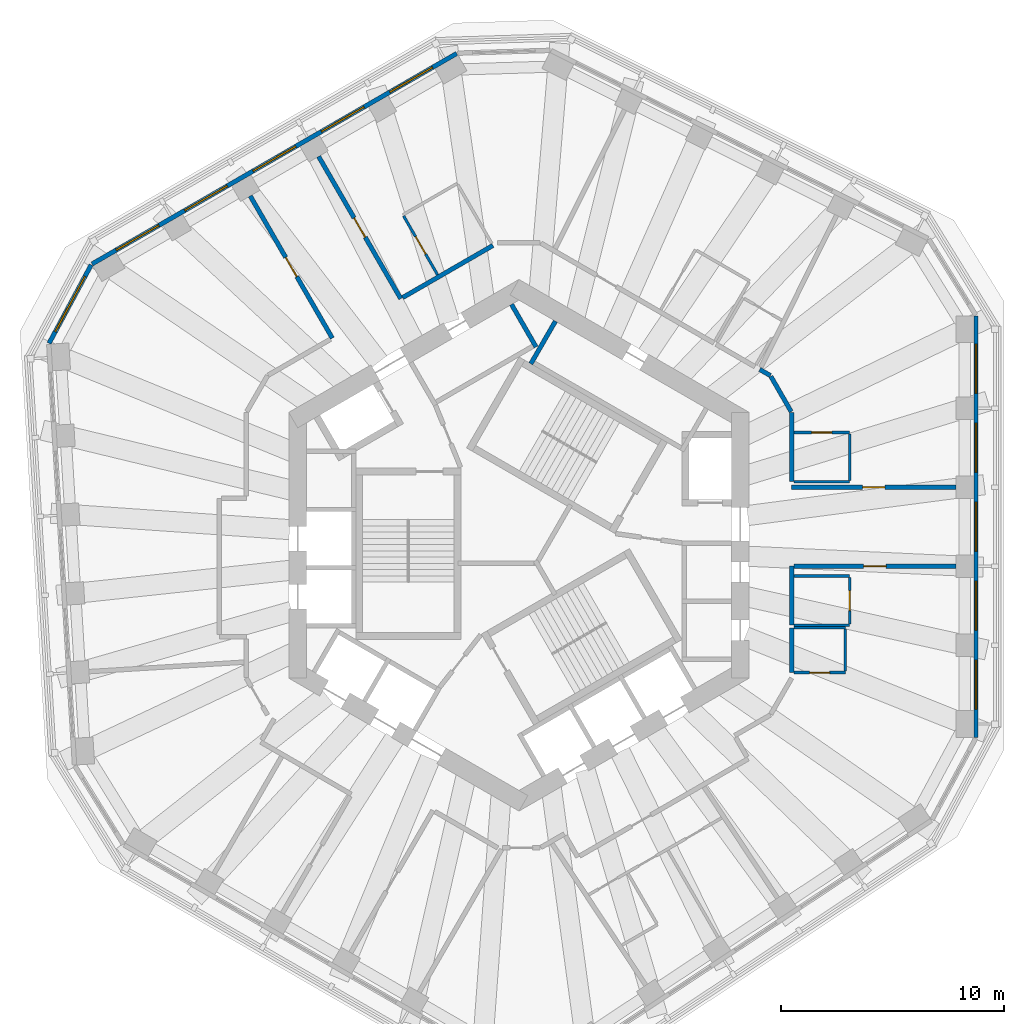
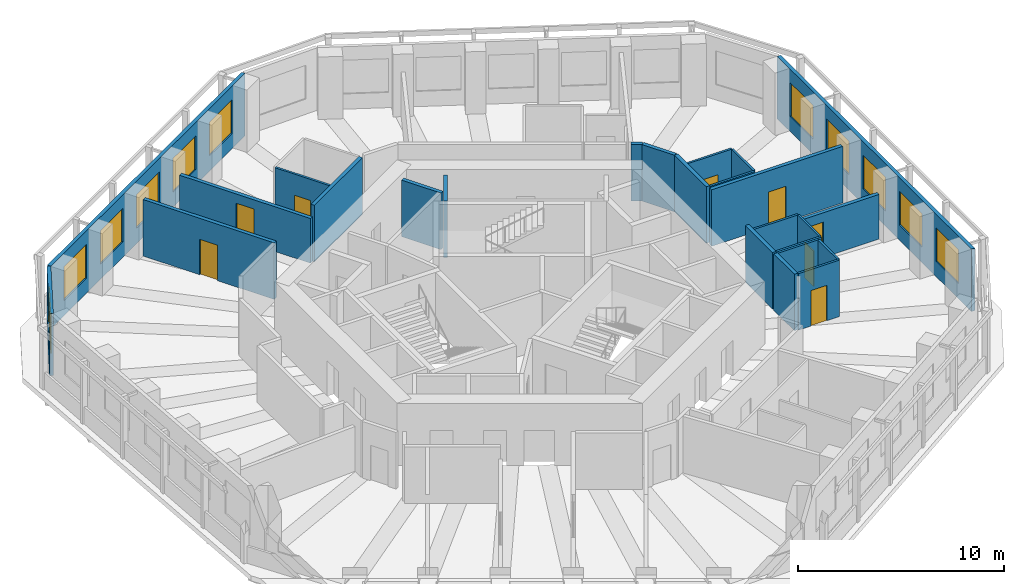
# One storey, part 7 of 11: 25 walls, 11 windows, 8 doors, 19 openings.
"""IFC4 building model written with IfcOpenShell, lengths in metres."""

from ifc_helpers import new_model, si_unit, direction, frame, frame_2d, origin, place, context, subcontext, project, spatial, rectangle, extrude, material, layer, layer_set, type_object, element, fill, save


model = new_model("IFC4")

# Units and contexts
model_context = context("Model", 3, precision=1e-05, world=origin(), true_north=direction((0.0, 1.0)))
body_context = subcontext(model_context, "Body", "Model", "MODEL_VIEW")
ifc_project = project(units=[si_unit("LENGTHUNIT", "METRE"), si_unit("AREAUNIT", "SQUARE_METRE"), si_unit("VOLUMEUNIT", "CUBIC_METRE"), si_unit("PLANEANGLEUNIT", "RADIAN"), si_unit("MASSUNIT", "GRAM", prefix="KILO")], contexts=[model_context])

# Site, building, storey
site_placement = place(None, origin())
site = spatial("IfcSite", under=ifc_project, at=site_placement, CompositionType="ELEMENT")
building_placement = place(site_placement, origin())
building = spatial("IfcBuilding", under=site, at=building_placement, Name="Vanh Sen Convention Tower", CompositionType="ELEMENT")
storey_placement = place(building_placement, frame((0.0, 0.0, 210.60009765625)))
storey = spatial("IfcBuildingStorey", under=building, at=storey_placement, Name="L52", CompositionType="ELEMENT", Elevation=210.60009765625)

# Wall, opening, door
ifc_material_1 = material(Name="Moisture-resistant gypsum board on steel studs", Category="steel")
ifc_layer_1 = layer(ifc_material_1, 0.1201171875)
ifc_layer_set_1 = layer_set([ifc_layer_1], Name="Moisture-resistant gypsum board on steel studs")
wall_type_1 = type_object("IfcWallType", Name="Bathroom partition 120", PredefinedType="PARTITIONING", material=ifc_layer_set_1)
wall_1_placement = place(storey_placement, frame((-3.641357421875, 12.1005859375, 0.0), z_axis=(0.0, 0.0, 1.0), x_axis=(-0.500026023896, 0.86601037836, 0.0)))
wall_1 = element("IfcWall", 1, at=wall_1_placement, inside=storey, type_object=wall_type_1, Name="Bathroom partition 120", PredefinedType="PARTITIONING", context=body_context, shape_type="SweptSolid", body=[
    extrude(rectangle(XDim=3.039794921875, YDim=0.1201171875, at=frame_2d((1.52001953125, 0.0))), origin(), (0.0, 0.0, 1.0), 3.349853515625),
])
opening_1_placement = place(wall_1_placement, frame((1.06982421875, 0.0, 0.0)))
opening_1 = element("IfcOpeningElement", 2, at=opening_1_placement, cuts=wall_1, Name="Opening D52107", PredefinedType="OPENING", context=body_context, shape_type="SweptSolid", body=[
    extrude(rectangle(XDim=0.89990234375, YDim=2.10009765625, at=frame_2d((0.449951171875, 1.050048828125))), frame((0.0, 0.070068359375, 0.0), z_axis=(0.0, -1.0, 0.0), x_axis=(1.0, 0.0, 0.0)), (0.0, 0.0, 1.0), 0.14013671875),
])
ifc_material_2 = material(Name="Laminate door in steel frame", Category="steel")
door_type_1 = type_object("IfcDoorType", Name="Room internal door 900", OperationType="SINGLE_SWING_LEFT", PredefinedType="DOOR", material=ifc_material_2)
door_1_placement = place(opening_1_placement, origin())
door_1 = element("IfcDoor", 3, at=door_1_placement, inside=storey, type_object=door_type_1, Name="Internal room door D52107", OperationType="SINGLE_SWING_LEFT", OverallHeight=2.10009765625, OverallWidth=0.89990234375, PredefinedType="DOOR", context=body_context, shape_type="SweptSolid", body=[
    extrude(rectangle(XDim=0.89990234375, YDim=2.10009765625, at=frame_2d((0.449951171875, 1.050048828125))), frame((0.0, 0.02490234375, 0.0), z_axis=(0.0, -1.0, 0.0), x_axis=(1.0, 0.0, 0.0)), (0.0, 0.0, 1.0), 0.050048828125),
])
fill(opening_1, door_1)

# Walls
wall_2_placement = place(storey_placement, frame((12.300048828125, -3.69677734375, 0.0), z_axis=(0.0, 0.0, 1.0), x_axis=(1.0, 0.0, 0.0)))
element("IfcWall", 4, at=wall_2_placement, inside=storey, type_object=wall_type_1, Name="Bathroom partition 120", PredefinedType="PARTITIONING", context=body_context, shape_type="SweptSolid", body=[
    extrude(rectangle(XDim=2.300048828125, YDim=0.1201171875, at=frame_2d((1.14990234375, 0.0))), origin(), (0.0, 0.0, 1.0), 3.349853515625),
])
wall_3_placement = place(storey_placement, frame((12.300048828125, -1.376708984375, 0.0), z_axis=(0.0, 0.0, 1.0), x_axis=(1.0, 0.0, 0.0)))
element("IfcWall", 5, at=wall_3_placement, inside=storey, type_object=wall_type_1, Name="Bathroom partition 120", PredefinedType="PARTITIONING", context=body_context, shape_type="SweptSolid", body=[
    extrude(rectangle(XDim=2.5, YDim=0.1201171875, at=frame_2d((1.25, 0.0))), origin(), (0.0, 0.0, 1.0), 3.349853515625),
])

# Wall, opening, door
wall_4_placement = place(storey_placement, frame((12.300048828125, 5.048095703125, 0.0), z_axis=(0.0, 0.0, 1.0), x_axis=(1.0, 0.0, 0.0)))
wall_4 = element("IfcWall", 6, at=wall_4_placement, inside=storey, type_object=wall_type_1, Name="Bathroom partition 120", PredefinedType="PARTITIONING", context=body_context, shape_type="SweptSolid", body=[
    extrude(rectangle(XDim=2.5, YDim=0.1201171875, at=frame_2d((1.25, 0.0))), origin(), (0.0, 0.0, 1.0), 3.349853515625),
])
opening_2_placement = place(wall_4_placement, frame((0.800048828125, 0.0, 0.0)))
opening_2 = element("IfcOpeningElement", 7, at=opening_2_placement, cuts=wall_4, Name="Opening D52102", PredefinedType="OPENING", context=body_context, shape_type="SweptSolid", body=[
    extrude(rectangle(XDim=0.89990234375, YDim=2.10009765625, at=frame_2d((0.449951171875, 1.050048828125))), frame((0.0, 0.070068359375, 0.0), z_axis=(0.0, -1.0, 0.0), x_axis=(1.0, 0.0, 0.0)), (0.0, 0.0, 1.0), 0.14013671875),
])
door_2_placement = place(opening_2_placement, origin())
door_2 = element("IfcDoor", 8, at=door_2_placement, inside=storey, type_object=door_type_1, Name="Internal room door D52102", OperationType="SINGLE_SWING_LEFT", OverallHeight=2.10009765625, OverallWidth=0.89990234375, PredefinedType="DOOR", context=body_context, shape_type="SweptSolid", body=[
    extrude(rectangle(XDim=0.89990234375, YDim=2.10009765625, at=frame_2d((0.449951171875, 1.050048828125))), frame((0.0, 0.02490234375, 0.0), z_axis=(0.0, -1.0, 0.0), x_axis=(1.0, 0.0, 0.0)), (0.0, 0.0, 1.0), 0.050048828125),
])
fill(opening_2, door_2)

wall_5_placement = place(storey_placement, frame((14.60009765625, -5.69677734375, 0.0), z_axis=(0.0, 0.0, 1.0), x_axis=(-1.0, 0.0, 0.0)))
wall_5 = element("IfcWall", 9, at=wall_5_placement, inside=storey, type_object=wall_type_1, Name="Bathroom partition 120", PredefinedType="PARTITIONING", context=body_context, shape_type="SweptSolid", body=[
    extrude(rectangle(XDim=2.300048828125, YDim=0.1201171875, at=frame_2d((1.14990234375, 0.0))), origin(), (0.0, 0.0, 1.0), 3.349853515625),
])
opening_3_placement = place(wall_5_placement, frame((0.699951171875, 0.0, 0.0)))
opening_3 = element("IfcOpeningElement", 10, at=opening_3_placement, cuts=wall_5, Name="Opening D52118", PredefinedType="OPENING", context=body_context, shape_type="SweptSolid", body=[
    extrude(rectangle(XDim=0.89990234375, YDim=2.10009765625, at=frame_2d((0.449951171875, 1.050048828125))), frame((0.0, 0.070068359375, 0.0), z_axis=(0.0, -1.0, 0.0), x_axis=(1.0, 0.0, 0.0)), (0.0, 0.0, 1.0), 0.14013671875),
])
door_3_placement = place(opening_3_placement, origin())
door_3 = element("IfcDoor", 11, at=door_3_placement, inside=storey, type_object=door_type_1, Name="Internal room door D52118", OperationType="SINGLE_SWING_LEFT", OverallHeight=2.10009765625, OverallWidth=0.89990234375, PredefinedType="DOOR", context=body_context, shape_type="SweptSolid", body=[
    extrude(rectangle(XDim=0.89990234375, YDim=2.10009765625, at=frame_2d((0.449951171875, 1.050048828125))), frame((0.0, 0.02490234375, 0.0), z_axis=(0.0, -1.0, 0.0), x_axis=(1.0, 0.0, 0.0)), (0.0, 0.0, 1.0), 0.050048828125),
])
fill(opening_3, door_3)

# Walls
wall_6_placement = place(storey_placement, frame((14.60009765625, -3.756591796875, 0.0), z_axis=(0.0, 0.0, 1.0), x_axis=(0.0, -1.0, 0.0)))
element("IfcWall", 12, at=wall_6_placement, inside=storey, type_object=wall_type_1, Name="Bathroom partition 120", PredefinedType="PARTITIONING", context=body_context, shape_type="SweptSolid", body=[
    extrude(rectangle(XDim=1.880126953125, YDim=0.1201171875, at=frame_2d((0.93994140625, 0.0))), origin(), (0.0, 0.0, 1.0), 3.349853515625),
])
wall_7_placement = place(storey_placement, frame((14.800048828125, -3.57666015625, 0.0), z_axis=(0.0, 0.0, 1.0), x_axis=(-1.0, 0.0, 0.0)))
element("IfcWall", 13, at=wall_7_placement, inside=storey, type_object=wall_type_1, Name="Bathroom partition 120", PredefinedType="PARTITIONING", context=body_context, shape_type="SweptSolid", body=[
    extrude(rectangle(XDim=2.5, YDim=0.1201171875, at=frame_2d((1.25, 0.0))), origin(), (0.0, 0.0, 1.0), 3.349853515625),
])

# Wall, opening, door
wall_8_placement = place(storey_placement, frame((14.800048828125, -1.436767578125, 0.0), z_axis=(0.0, 0.0, 1.0), x_axis=(0.0, -1.0, 0.0)))
wall_8 = element("IfcWall", 14, at=wall_8_placement, inside=storey, type_object=wall_type_1, Name="Bathroom partition 120", PredefinedType="PARTITIONING", context=body_context, shape_type="SweptSolid", body=[
    extrude(rectangle(XDim=2.079833984375, YDim=0.1201171875, at=frame_2d((1.0400390625, 0.0))), origin(), (0.0, 0.0, 1.0), 3.349853515625),
])
opening_4_placement = place(wall_8_placement, frame((0.590087890625, 0.0, 0.0)))
opening_4 = element("IfcOpeningElement", 15, at=opening_4_placement, cuts=wall_8, Name="Opening D52119", PredefinedType="OPENING", context=body_context, shape_type="SweptSolid", body=[
    extrude(rectangle(XDim=0.89990234375, YDim=2.10009765625, at=frame_2d((0.449951171875, 1.050048828125))), frame((0.0, 0.070068359375, 0.0), z_axis=(0.0, -1.0, 0.0), x_axis=(1.0, 0.0, 0.0)), (0.0, 0.0, 1.0), 0.14013671875),
])
door_4_placement = place(opening_4_placement, origin())
door_4 = element("IfcDoor", 16, at=door_4_placement, inside=storey, type_object=door_type_1, Name="Internal room door D52119", OperationType="SINGLE_SWING_LEFT", OverallHeight=2.10009765625, OverallWidth=0.89990234375, PredefinedType="DOOR", context=body_context, shape_type="SweptSolid", body=[
    extrude(rectangle(XDim=0.89990234375, YDim=2.10009765625, at=frame_2d((0.449951171875, 1.050048828125))), frame((0.0, 0.02490234375, 0.0), z_axis=(0.0, -1.0, 0.0), x_axis=(1.0, 0.0, 0.0)), (0.0, 0.0, 1.0), 0.050048828125),
])
fill(opening_4, door_4)

# Walls
wall_9_placement = place(storey_placement, frame((14.800048828125, 2.84814453125, 0.0), z_axis=(0.0, 0.0, 1.0), x_axis=(-1.0, 0.0, 0.0)))
element("IfcWall", 17, at=wall_9_placement, inside=storey, type_object=wall_type_1, Name="Bathroom partition 120", PredefinedType="PARTITIONING", context=body_context, shape_type="SweptSolid", body=[
    extrude(rectangle(XDim=2.5, YDim=0.1201171875, at=frame_2d((1.25, 0.0))), origin(), (0.0, 0.0, 1.0), 3.349853515625),
])
wall_10_placement = place(storey_placement, frame((14.800048828125, 4.988037109375, 0.0), z_axis=(0.0, 0.0, 1.0), x_axis=(0.0, -1.0, 0.0)))
element("IfcWall", 18, at=wall_10_placement, inside=storey, type_object=wall_type_1, Name="Bathroom partition 120", PredefinedType="PARTITIONING", context=body_context, shape_type="SweptSolid", body=[
    extrude(rectangle(XDim=2.079833984375, YDim=0.1201171875, at=frame_2d((1.0400390625, 0.0))), origin(), (0.0, 0.0, 1.0), 3.349853515625),
])

# Wall, opening, door
ifc_material_3 = material(Name="Gypsum board on steel studs with mineral wool", Category="steel")
ifc_layer_2 = layer(ifc_material_3, 0.199951171875)
ifc_layer_set_2 = layer_set([ifc_layer_2], Name="Gypsum board on steel studs with mineral wool")
wall_type_2 = type_object("IfcWallType", Name="Corridor partition wall 200", PredefinedType="PARTITIONING", material=ifc_layer_set_2)
wall_11_placement = place(storey_placement, frame((-12.02490234375, 15.6318359375, 0.0), z_axis=(0.0, 0.0, 1.0), x_axis=(0.499983153418, -0.866035129944, 0.0)))
wall_11 = element("IfcWall", 19, at=wall_11_placement, inside=storey, type_object=wall_type_2, Name="Corridor partition wall 200", PredefinedType="PARTITIONING", context=body_context, shape_type="SweptSolid", body=[
    extrude(rectangle(XDim=7.349853515625, YDim=0.199951171875, at=frame_2d((3.6748046875, 0.0))), origin(), (0.0, 0.0, 1.0), 3.349853515625),
])
opening_5_placement = place(wall_11_placement, frame((3.175048828125, 0.0, 0.0)))
opening_5 = element("IfcOpeningElement", 20, at=opening_5_placement, cuts=wall_11, Name="Opening D52108", PredefinedType="OPENING", context=body_context, shape_type="SweptSolid", body=[
    extrude(rectangle(XDim=1.0, YDim=2.10009765625, at=frame_2d((0.5, 1.050048828125))), frame((0.0, 0.10986328125, 0.0), z_axis=(0.0, -1.0, 0.0), x_axis=(1.0, 0.0, 0.0)), (0.0, 0.0, 1.0), 0.219970703125),
])
ifc_material_4 = material(Name="Timber fire door in steel frame", Category="steel")
door_type_2 = type_object("IfcDoorType", Name="Floor room door 1000", OperationType="SINGLE_SWING_LEFT", PredefinedType="DOOR", material=ifc_material_4)
door_5_placement = place(opening_5_placement, origin())
door_5 = element("IfcDoor", 21, at=door_5_placement, inside=storey, type_object=door_type_2, Name="Meeting and amenity room door D52108", OperationType="SINGLE_SWING_LEFT", OverallHeight=2.10009765625, OverallWidth=1.0, PredefinedType="DOOR", context=body_context, shape_type="SweptSolid", body=[
    extrude(rectangle(XDim=1.0, YDim=2.10009765625, at=frame_2d((0.5, 1.050048828125))), frame((0.0, 0.02490234375, 0.0), z_axis=(0.0, -1.0, 0.0), x_axis=(1.0, 0.0, 0.0)), (0.0, 0.0, 1.0), 0.050048828125),
])
fill(opening_5, door_5)

wall_12_placement = place(storey_placement, frame((-8.96484375, 17.398681640625, 0.0), z_axis=(0.0, 0.0, 1.0), x_axis=(0.499993683172, -0.866029050776, 0.0)))
wall_12 = element("IfcWall", 22, at=wall_12_placement, inside=storey, type_object=wall_type_2, Name="Corridor partition wall 200", PredefinedType="PARTITIONING", context=body_context, shape_type="SweptSolid", body=[
    extrude(rectangle(XDim=7.35009765625, YDim=0.199951171875, at=frame_2d((3.675048828125, 0.0))), origin(), (0.0, 0.0, 1.0), 2.64990234375),
])
opening_6_placement = place(wall_12_placement, frame((3.175048828125, 0.0, 0.0)))
opening_6 = element("IfcOpeningElement", 23, at=opening_6_placement, cuts=wall_12, Name="Opening D52106", PredefinedType="OPENING", context=body_context, shape_type="SweptSolid", body=[
    extrude(rectangle(XDim=1.0, YDim=2.10009765625, at=frame_2d((0.5, 1.050048828125))), frame((0.0, 0.10986328125, 0.0), z_axis=(0.0, -1.0, 0.0), x_axis=(1.0, 0.0, 0.0)), (0.0, 0.0, 1.0), 0.219970703125),
])
ifc_material_5 = material(Name="Glazed fire door in steel frame", Category="steel")
door_type_3 = type_object("IfcDoorType", Name="Tenant entrance door 1000", OperationType="SINGLE_SWING_LEFT", PredefinedType="DOOR", material=ifc_material_5)
door_6_placement = place(opening_6_placement, origin())
door_6 = element("IfcDoor", 24, at=door_6_placement, inside=storey, type_object=door_type_3, Name="Tenant suite entrance door D52106", OperationType="SINGLE_SWING_LEFT", OverallHeight=2.10009765625, OverallWidth=1.0, PredefinedType="DOOR", context=body_context, shape_type="SweptSolid", body=[
    extrude(rectangle(XDim=1.0, YDim=2.10009765625, at=frame_2d((0.5, 1.050048828125))), frame((0.0, 0.02490234375, 0.0), z_axis=(0.0, -1.0, 0.0), x_axis=(1.0, 0.0, 0.0)), (0.0, 0.0, 1.0), 0.050048828125),
])
fill(opening_6, door_6)

# Walls
wall_13_placement = place(storey_placement, frame((-1.16650390625, 13.413818359375, 0.0), z_axis=(0.0, 0.0, 1.0), x_axis=(-0.866023347809, -0.500003561037, 0.0)))
element("IfcWall", 25, at=wall_13_placement, inside=storey, type_object=wall_type_2, Name="Corridor partition wall 200", PredefinedType="PARTITIONING", context=body_context, shape_type="SweptSolid", body=[
    extrude(rectangle(XDim=4.6611328125, YDim=0.199951171875, at=frame_2d((2.33056640625, 0.0))), origin(), (0.0, 0.0, 1.0), 3.349853515625),
])
wall_14_placement = place(storey_placement, frame((11.25, 7.592041015625, 0.0), z_axis=(0.0, 0.0, 1.0), x_axis=(-0.865993292597, 0.500055614084, 0.0)))
element("IfcWall", 26, at=wall_14_placement, inside=storey, type_object=wall_type_2, Name="Corridor partition wall 200", PredefinedType="PARTITIONING", context=body_context, shape_type="SweptSolid", body=[
    extrude(rectangle(XDim=0.5498046875, YDim=0.199951171875, at=frame_2d((0.27490234375, 0.0))), origin(), (0.0, 0.0, 1.0), 3.349853515625),
])
wall_15_placement = place(storey_placement, frame((12.179931640625, 5.981201171875, 0.0), z_axis=(0.0, 0.0, 1.0), x_axis=(-0.499904359745, 0.86608061467, 0.0)))
element("IfcWall", 27, at=wall_15_placement, inside=storey, type_object=wall_type_2, Name="Corridor partition wall 200", PredefinedType="PARTITIONING", context=body_context, shape_type="SweptSolid", body=[
    extrude(rectangle(XDim=1.820068359375, YDim=0.199951171875, at=frame_2d((0.91015625, 0.0))), origin(), (0.0, 0.0, 1.0), 3.349853515625),
])
wall_16_placement = place(storey_placement, frame((12.199951171875, -5.69677734375, 0.0), z_axis=(0.0, 0.0, 1.0), x_axis=(0.0, 1.0, 0.0)))
element("IfcWall", 28, at=wall_16_placement, inside=storey, type_object=wall_type_2, Name="Corridor partition wall 200", PredefinedType="PARTITIONING", context=body_context, shape_type="SweptSolid", body=[
    extrude(rectangle(XDim=2.0, YDim=0.199951171875, at=frame_2d((1.0, 0.0))), origin(), (0.0, 0.0, 1.0), 3.349853515625),
])
wall_17_placement = place(storey_placement, frame((12.199951171875, -3.57666015625, 0.0), z_axis=(0.0, 0.0, 1.0), x_axis=(0.0, 1.0, 0.0)))
element("IfcWall", 29, at=wall_17_placement, inside=storey, type_object=wall_type_2, Name="Corridor partition wall 200", PredefinedType="PARTITIONING", context=body_context, shape_type="SweptSolid", body=[
    extrude(rectangle(XDim=2.64111328125, YDim=0.199951171875, at=frame_2d((1.320556640625, 0.0))), origin(), (0.0, 0.0, 1.0), 3.349853515625),
])
wall_18_placement = place(storey_placement, frame((12.199951171875, 2.84814453125, 0.0), z_axis=(0.0, 0.0, 1.0), x_axis=(0.0, 1.0, 0.0)))
element("IfcWall", 30, at=wall_18_placement, inside=storey, type_object=wall_type_2, Name="Corridor partition wall 200", PredefinedType="PARTITIONING", context=body_context, shape_type="SweptSolid", body=[
    extrude(rectangle(XDim=3.0986328125, YDim=0.199951171875, at=frame_2d((1.54931640625, 0.0))), origin(), (0.0, 0.0, 1.0), 3.349853515625),
])

# Wall, opening, door
wall_19_placement = place(storey_placement, frame((12.300048828125, -0.935546875, 0.0), z_axis=(0.0, 0.0, 1.0), x_axis=(1.0, 0.0, 0.0)))
wall_19 = element("IfcWall", 31, at=wall_19_placement, inside=storey, type_object=wall_type_2, Name="Corridor partition wall 200", PredefinedType="PARTITIONING", context=body_context, shape_type="SweptSolid", body=[
    extrude(rectangle(XDim=7.25, YDim=0.199951171875, at=frame_2d((3.625, 0.0))), origin(), (0.0, 0.0, 1.0), 2.64990234375),
])
opening_7_placement = place(wall_19_placement, frame((3.125, 0.0, 0.0)))
opening_7 = element("IfcOpeningElement", 32, at=opening_7_placement, cuts=wall_19, Name="Opening D52117", PredefinedType="OPENING", context=body_context, shape_type="SweptSolid", body=[
    extrude(rectangle(XDim=1.0, YDim=2.10009765625, at=frame_2d((0.5, 1.050048828125))), frame((0.0, 0.10986328125, 0.0), z_axis=(0.0, -1.0, 0.0), x_axis=(1.0, 0.0, 0.0)), (0.0, 0.0, 1.0), 0.219970703125),
])
door_7_placement = place(opening_7_placement, origin())
door_7 = element("IfcDoor", 33, at=door_7_placement, inside=storey, type_object=door_type_3, Name="Tenant suite entrance door D52117", OperationType="SINGLE_SWING_LEFT", OverallHeight=2.10009765625, OverallWidth=1.0, PredefinedType="DOOR", context=body_context, shape_type="SweptSolid", body=[
    extrude(rectangle(XDim=1.0, YDim=2.10009765625, at=frame_2d((0.5, 1.050048828125))), frame((0.0, 0.02490234375, 0.0), z_axis=(0.0, -1.0, 0.0), x_axis=(1.0, 0.0, 0.0)), (0.0, 0.0, 1.0), 0.050048828125),
])
fill(opening_7, door_7)

wall_20_placement = place(storey_placement, frame((19.550048828125, 2.59814453125, 0.0), z_axis=(0.0, 0.0, 1.0), x_axis=(-1.0, 0.0, 0.0)))
wall_20 = element("IfcWall", 34, at=wall_20_placement, inside=storey, type_object=wall_type_2, Name="Corridor partition wall 200", PredefinedType="PARTITIONING", context=body_context, shape_type="SweptSolid", body=[
    extrude(rectangle(XDim=7.35009765625, YDim=0.199951171875, at=frame_2d((3.675048828125, 0.0))), origin(), (0.0, 0.0, 1.0), 3.349853515625),
])
opening_8_placement = place(wall_20_placement, frame((3.175048828125, 0.0, 0.0)))
opening_8 = element("IfcOpeningElement", 35, at=opening_8_placement, cuts=wall_20, Name="Opening D52101", PredefinedType="OPENING", context=body_context, shape_type="SweptSolid", body=[
    extrude(rectangle(XDim=1.0, YDim=2.10009765625, at=frame_2d((0.5, 1.050048828125))), frame((0.0, 0.10986328125, 0.0), z_axis=(0.0, -1.0, 0.0), x_axis=(1.0, 0.0, 0.0)), (0.0, 0.0, 1.0), 0.219970703125),
])
door_8_placement = place(opening_8_placement, origin())
door_8 = element("IfcDoor", 36, at=door_8_placement, inside=storey, type_object=door_type_3, Name="Tenant suite entrance door D52101", OperationType="SINGLE_SWING_LEFT", OverallHeight=2.10009765625, OverallWidth=1.0, PredefinedType="DOOR", context=body_context, shape_type="SweptSolid", body=[
    extrude(rectangle(XDim=1.0, YDim=2.10009765625, at=frame_2d((0.5, 1.050048828125))), frame((0.0, 0.02490234375, 0.0), z_axis=(0.0, -1.0, 0.0), x_axis=(1.0, 0.0, 0.0)), (0.0, 0.0, 1.0), 0.050048828125),
])
fill(opening_8, door_8)

# Wall, openings, windows
ifc_material_6 = material(Name="Insulated lightweight infill wall")
ifc_layer_3 = layer(ifc_material_6, 0.199951171875)
ifc_layer_set_3 = layer_set([ifc_layer_3], Name="Insulated lightweight infill wall")
wall_type_3 = type_object("IfcWallType", Name="External wall 200", PredefinedType="STANDARD", material=ifc_layer_set_3)
wall_21_placement = place(storey_placement, frame((20.449951171875, -8.590087890625, 0.0), z_axis=(0.0, 0.0, 1.0), x_axis=(0.0, 1.0, 0.0)))
wall_21 = element("IfcWall", 37, at=wall_21_placement, inside=storey, type_object=wall_type_3, Name="External wall E L52", PredefinedType="STANDARD", context=body_context, shape_type="SweptSolid", body=[
    extrude(rectangle(XDim=18.84130859375, YDim=0.199951171875, at=frame_2d((9.420654296875, 0.0))), origin(), (0.0, 0.0, 1.0), 3.699951171875),
])
opening_9_placement = place(wall_21_placement, frame((1.254150390625, 0.0, 0.89990234375)))
opening_9 = element("IfcOpeningElement", 38, at=opening_9_placement, cuts=wall_21, Name="Opening WO3-E1", PredefinedType="OPENING", context=body_context, shape_type="SweptSolid", body=[
    extrude(rectangle(XDim=2.199951171875, YDim=2.0, at=frame_2d((1.10009765625, 1.0))), frame((0.0, 0.10986328125, 0.0), z_axis=(0.0, -1.0, 0.0), x_axis=(1.0, 0.0, 0.0)), (0.0, 0.0, 1.0), 0.219970703125),
])
opening_10_placement = place(wall_21_placement, frame((4.787841796875, 0.0, 0.89990234375)))
opening_10 = element("IfcOpeningElement", 39, at=opening_10_placement, cuts=wall_21, Name="Opening WO3-E2", PredefinedType="OPENING", context=body_context, shape_type="SweptSolid", body=[
    extrude(rectangle(XDim=2.199951171875, YDim=2.0, at=frame_2d((1.10009765625, 1.0))), frame((0.0, 0.10986328125, 0.0), z_axis=(0.0, -1.0, 0.0), x_axis=(1.0, 0.0, 0.0)), (0.0, 0.0, 1.0), 0.219970703125),
])
opening_11_placement = place(wall_21_placement, frame((8.321533203125, 0.0, 0.89990234375)))
opening_11 = element("IfcOpeningElement", 40, at=opening_11_placement, cuts=wall_21, Name="Opening WO3-E3", PredefinedType="OPENING", context=body_context, shape_type="SweptSolid", body=[
    extrude(rectangle(XDim=2.199951171875, YDim=2.0, at=frame_2d((1.10009765625, 1.0))), frame((0.0, 0.10986328125, 0.0), z_axis=(0.0, -1.0, 0.0), x_axis=(1.0, 0.0, 0.0)), (0.0, 0.0, 1.0), 0.219970703125),
])
opening_12_placement = place(wall_21_placement, frame((11.85498046875, 0.0, 0.89990234375)))
opening_12 = element("IfcOpeningElement", 41, at=opening_12_placement, cuts=wall_21, Name="Opening WO3-E4", PredefinedType="OPENING", context=body_context, shape_type="SweptSolid", body=[
    extrude(rectangle(XDim=2.199951171875, YDim=2.0, at=frame_2d((1.10009765625, 1.0))), frame((0.0, 0.10986328125, 0.0), z_axis=(0.0, -1.0, 0.0), x_axis=(1.0, 0.0, 0.0)), (0.0, 0.0, 1.0), 0.219970703125),
])
opening_13_placement = place(wall_21_placement, frame((15.388671875, 0.0, 0.89990234375)))
opening_13 = element("IfcOpeningElement", 42, at=opening_13_placement, cuts=wall_21, Name="Opening WO3-E5", PredefinedType="OPENING", context=body_context, shape_type="SweptSolid", body=[
    extrude(rectangle(XDim=2.199951171875, YDim=2.0, at=frame_2d((1.10009765625, 1.0))), frame((0.0, 0.10986328125, 0.0), z_axis=(0.0, -1.0, 0.0), x_axis=(1.0, 0.0, 0.0)), (0.0, 0.0, 1.0), 0.219970703125),
])
ifc_material_7 = material(Name="Aluminium frame with clear low-emissivity glass", Category="aluminium")
window_type_1 = type_object("IfcWindowType", Name="Office window 2200 x 2000", PartitioningType="SINGLE_PANEL", PredefinedType="WINDOW", material=ifc_material_7)
window_1_placement = place(opening_9_placement, origin())
window_1 = element("IfcWindow", 43, at=window_1_placement, inside=storey, type_object=window_type_1, Name="Window WO3-E1", OverallHeight=2.0, OverallWidth=2.199951171875, PartitioningType="SINGLE_PANEL", PredefinedType="WINDOW", context=body_context, shape_type="SweptSolid", body=[
    extrude(rectangle(XDim=2.199951171875, YDim=2.0, at=frame_2d((1.10009765625, 1.0))), frame((0.0, 0.030029296875, 0.0), z_axis=(0.0, -1.0, 0.0), x_axis=(1.0, 0.0, 0.0)), (0.0, 0.0, 1.0), 0.06005859375),
])
fill(opening_9, window_1)
window_2_placement = place(opening_10_placement, origin())
window_2 = element("IfcWindow", 44, at=window_2_placement, inside=storey, type_object=window_type_1, Name="Window WO3-E2", OverallHeight=2.0, OverallWidth=2.199951171875, PartitioningType="SINGLE_PANEL", PredefinedType="WINDOW", context=body_context, shape_type="SweptSolid", body=[
    extrude(rectangle(XDim=2.199951171875, YDim=2.0, at=frame_2d((1.10009765625, 1.0))), frame((0.0, 0.030029296875, 0.0), z_axis=(0.0, -1.0, 0.0), x_axis=(1.0, 0.0, 0.0)), (0.0, 0.0, 1.0), 0.06005859375),
])
fill(opening_10, window_2)
window_3_placement = place(opening_11_placement, origin())
window_3 = element("IfcWindow", 45, at=window_3_placement, inside=storey, type_object=window_type_1, Name="Window WO3-E3", OverallHeight=2.0, OverallWidth=2.199951171875, PartitioningType="SINGLE_PANEL", PredefinedType="WINDOW", context=body_context, shape_type="SweptSolid", body=[
    extrude(rectangle(XDim=2.199951171875, YDim=2.0, at=frame_2d((1.10009765625, 1.0))), frame((0.0, 0.030029296875, 0.0), z_axis=(0.0, -1.0, 0.0), x_axis=(1.0, 0.0, 0.0)), (0.0, 0.0, 1.0), 0.06005859375),
])
fill(opening_11, window_3)
window_4_placement = place(opening_12_placement, origin())
window_4 = element("IfcWindow", 46, at=window_4_placement, inside=storey, type_object=window_type_1, Name="Window WO3-E4", OverallHeight=2.0, OverallWidth=2.199951171875, PartitioningType="SINGLE_PANEL", PredefinedType="WINDOW", context=body_context, shape_type="SweptSolid", body=[
    extrude(rectangle(XDim=2.199951171875, YDim=2.0, at=frame_2d((1.10009765625, 1.0))), frame((0.0, 0.030029296875, 0.0), z_axis=(0.0, -1.0, 0.0), x_axis=(1.0, 0.0, 0.0)), (0.0, 0.0, 1.0), 0.06005859375),
])
fill(opening_12, window_4)
window_5_placement = place(opening_13_placement, origin())
window_5 = element("IfcWindow", 47, at=window_5_placement, inside=storey, type_object=window_type_1, Name="Window WO3-E5", OverallHeight=2.0, OverallWidth=2.199951171875, PartitioningType="SINGLE_PANEL", PredefinedType="WINDOW", context=body_context, shape_type="SweptSolid", body=[
    extrude(rectangle(XDim=2.199951171875, YDim=2.0, at=frame_2d((1.10009765625, 1.0))), frame((0.0, 0.030029296875, 0.0), z_axis=(0.0, -1.0, 0.0), x_axis=(1.0, 0.0, 0.0)), (0.0, 0.0, 1.0), 0.06005859375),
])
fill(opening_13, window_5)

wall_22_placement = place(storey_placement, frame((-2.78564453125, 22.00537109375, 0.0), z_axis=(0.0, 0.0, 1.0), x_axis=(-0.866026555358, -0.49999800541, 0.0)))
wall_22 = element("IfcWall", 48, at=wall_22_placement, inside=storey, type_object=wall_type_3, Name="External wall NW L52", PredefinedType="STANDARD", context=body_context, shape_type="SweptSolid", body=[
    extrude(rectangle(XDim=18.84130859375, YDim=0.199951171875, at=frame_2d((9.420654296875, 0.0))), origin(), (0.0, 0.0, 1.0), 3.699951171875),
])
opening_14_placement = place(wall_22_placement, frame((1.254150390625, 0.0, 0.89990234375)))
opening_14 = element("IfcOpeningElement", 49, at=opening_14_placement, cuts=wall_22, Name="Opening WO3-NW1", PredefinedType="OPENING", context=body_context, shape_type="SweptSolid", body=[
    extrude(rectangle(XDim=2.199951171875, YDim=2.0, at=frame_2d((1.10009765625, 1.0))), frame((0.0, 0.10986328125, 0.0), z_axis=(0.0, -1.0, 0.0), x_axis=(1.0, 0.0, 0.0)), (0.0, 0.0, 1.0), 0.219970703125),
])
opening_15_placement = place(wall_22_placement, frame((4.787841796875, 0.0, 0.89990234375)))
opening_15 = element("IfcOpeningElement", 50, at=opening_15_placement, cuts=wall_22, Name="Opening WO3-NW2", PredefinedType="OPENING", context=body_context, shape_type="SweptSolid", body=[
    extrude(rectangle(XDim=2.199951171875, YDim=2.0, at=frame_2d((1.10009765625, 1.0))), frame((0.0, 0.10986328125, 0.0), z_axis=(0.0, -1.0, 0.0), x_axis=(1.0, 0.0, 0.0)), (0.0, 0.0, 1.0), 0.219970703125),
])
opening_16_placement = place(wall_22_placement, frame((8.3212890625, 0.0, 0.89990234375)))
opening_16 = element("IfcOpeningElement", 51, at=opening_16_placement, cuts=wall_22, Name="Opening WO3-NW3", PredefinedType="OPENING", context=body_context, shape_type="SweptSolid", body=[
    extrude(rectangle(XDim=2.199951171875, YDim=2.0, at=frame_2d((1.10009765625, 1.0))), frame((0.0, 0.10986328125, 0.0), z_axis=(0.0, -1.0, 0.0), x_axis=(1.0, 0.0, 0.0)), (0.0, 0.0, 1.0), 0.219970703125),
])
opening_17_placement = place(wall_22_placement, frame((11.85498046875, 0.0, 0.89990234375)))
opening_17 = element("IfcOpeningElement", 52, at=opening_17_placement, cuts=wall_22, Name="Opening WO3-NW4", PredefinedType="OPENING", context=body_context, shape_type="SweptSolid", body=[
    extrude(rectangle(XDim=2.199951171875, YDim=2.0, at=frame_2d((1.10009765625, 1.0))), frame((0.0, 0.10986328125, 0.0), z_axis=(0.0, -1.0, 0.0), x_axis=(1.0, 0.0, 0.0)), (0.0, 0.0, 1.0), 0.219970703125),
])
opening_18_placement = place(wall_22_placement, frame((15.388671875, 0.0, 0.89990234375)))
opening_18 = element("IfcOpeningElement", 53, at=opening_18_placement, cuts=wall_22, Name="Opening WO3-NW5", PredefinedType="OPENING", context=body_context, shape_type="SweptSolid", body=[
    extrude(rectangle(XDim=2.199951171875, YDim=2.0, at=frame_2d((1.10009765625, 1.0))), frame((0.0, 0.10986328125, 0.0), z_axis=(0.0, -1.0, 0.0), x_axis=(1.0, 0.0, 0.0)), (0.0, 0.0, 1.0), 0.219970703125),
])
window_6_placement = place(opening_14_placement, origin())
window_6 = element("IfcWindow", 54, at=window_6_placement, inside=storey, type_object=window_type_1, Name="Window WO3-NW1", OverallHeight=2.0, OverallWidth=2.199951171875, PartitioningType="SINGLE_PANEL", PredefinedType="WINDOW", context=body_context, shape_type="SweptSolid", body=[
    extrude(rectangle(XDim=2.199951171875, YDim=2.0, at=frame_2d((1.10009765625, 1.0))), frame((0.0, 0.030029296875, 0.0), z_axis=(0.0, -1.0, 0.0), x_axis=(1.0, 0.0, 0.0)), (0.0, 0.0, 1.0), 0.06005859375),
])
fill(opening_14, window_6)
window_7_placement = place(opening_15_placement, origin())
window_7 = element("IfcWindow", 55, at=window_7_placement, inside=storey, type_object=window_type_1, Name="Window WO3-NW2", OverallHeight=2.0, OverallWidth=2.199951171875, PartitioningType="SINGLE_PANEL", PredefinedType="WINDOW", context=body_context, shape_type="SweptSolid", body=[
    extrude(rectangle(XDim=2.199951171875, YDim=2.0, at=frame_2d((1.10009765625, 1.0))), frame((0.0, 0.030029296875, 0.0), z_axis=(0.0, -1.0, 0.0), x_axis=(1.0, 0.0, 0.0)), (0.0, 0.0, 1.0), 0.06005859375),
])
fill(opening_15, window_7)
window_8_placement = place(opening_16_placement, origin())
window_8 = element("IfcWindow", 56, at=window_8_placement, inside=storey, type_object=window_type_1, Name="Window WO3-NW3", OverallHeight=2.0, OverallWidth=2.199951171875, PartitioningType="SINGLE_PANEL", PredefinedType="WINDOW", context=body_context, shape_type="SweptSolid", body=[
    extrude(rectangle(XDim=2.199951171875, YDim=2.0, at=frame_2d((1.10009765625, 1.0))), frame((0.0, 0.030029296875, 0.0), z_axis=(0.0, -1.0, 0.0), x_axis=(1.0, 0.0, 0.0)), (0.0, 0.0, 1.0), 0.06005859375),
])
fill(opening_16, window_8)
window_9_placement = place(opening_17_placement, origin())
window_9 = element("IfcWindow", 57, at=window_9_placement, inside=storey, type_object=window_type_1, Name="Window WO3-NW4", OverallHeight=2.0, OverallWidth=2.199951171875, PartitioningType="SINGLE_PANEL", PredefinedType="WINDOW", context=body_context, shape_type="SweptSolid", body=[
    extrude(rectangle(XDim=2.199951171875, YDim=2.0, at=frame_2d((1.10009765625, 1.0))), frame((0.0, 0.030029296875, 0.0), z_axis=(0.0, -1.0, 0.0), x_axis=(1.0, 0.0, 0.0)), (0.0, 0.0, 1.0), 0.06005859375),
])
fill(opening_17, window_9)
window_10_placement = place(opening_18_placement, origin())
window_10 = element("IfcWindow", 58, at=window_10_placement, inside=storey, type_object=window_type_1, Name="Window WO3-NW5", OverallHeight=2.0, OverallWidth=2.199951171875, PartitioningType="SINGLE_PANEL", PredefinedType="WINDOW", context=body_context, shape_type="SweptSolid", body=[
    extrude(rectangle(XDim=2.199951171875, YDim=2.0, at=frame_2d((1.10009765625, 1.0))), frame((0.0, 0.030029296875, 0.0), z_axis=(0.0, -1.0, 0.0), x_axis=(1.0, 0.0, 0.0)), (0.0, 0.0, 1.0), 0.06005859375),
])
fill(opening_18, window_10)

# Wall, opening, window
wall_23_placement = place(storey_placement, frame((-19.140869140625, 12.54541015625, 0.0), z_axis=(0.0, 0.0, 1.0), x_axis=(-0.473306370921, -0.880897882416, 0.0)))
wall_23 = element("IfcWall", 59, at=wall_23_placement, inside=storey, type_object=wall_type_3, Name="External wall CH3 L52", PredefinedType="STANDARD", context=body_context, shape_type="SweptSolid", body=[
    extrude(rectangle(XDim=3.982666015625, YDim=0.199951171875, at=frame_2d((1.9912109375, 0.0))), origin(), (0.0, 0.0, 1.0), 3.699951171875),
])
opening_19_placement = place(wall_23_placement, frame((0.59130859375, 0.0, 0.89990234375)))
opening_19 = element("IfcOpeningElement", 60, at=opening_19_placement, cuts=wall_23, Name="Opening WO4-CH31", PredefinedType="OPENING", context=body_context, shape_type="SweptSolid", body=[
    extrude(rectangle(XDim=2.800048828125, YDim=2.0, at=frame_2d((1.39990234375, 1.0))), frame((0.0, 0.10986328125, 0.0), z_axis=(0.0, -1.0, 0.0), x_axis=(1.0, 0.0, 0.0)), (0.0, 0.0, 1.0), 0.219970703125),
])
window_type_2 = type_object("IfcWindowType", Name="Office window 2800 x 2000", PartitioningType="SINGLE_PANEL", PredefinedType="WINDOW", material=ifc_material_7)
window_11_placement = place(opening_19_placement, origin())
window_11 = element("IfcWindow", 61, at=window_11_placement, inside=storey, type_object=window_type_2, Name="Window WO4-CH31", OverallHeight=2.0, OverallWidth=2.800048828125, PartitioningType="SINGLE_PANEL", PredefinedType="WINDOW", context=body_context, shape_type="SweptSolid", body=[
    extrude(rectangle(XDim=2.800048828125, YDim=2.0, at=frame_2d((1.39990234375, 1.0))), frame((0.0, 0.030029296875, 0.0), z_axis=(0.0, -1.0, 0.0), x_axis=(1.0, 0.0, 0.0)), (0.0, 0.0, 1.0), 0.06005859375),
])
fill(opening_19, window_11)

# Walls
ifc_material_8 = material(Name="Concrete C40/50", Category="concrete")
ifc_layer_4 = layer(ifc_material_8, 0.199951171875)
ifc_layer_set_4 = layer_set([ifc_layer_4], Name="Concrete C40/50")
wall_type_4 = type_object("IfcWallType", Name="Lift shaft wall 200", PredefinedType="PARTITIONING", material=ifc_layer_set_4)
wall_24_placement = place(storey_placement, frame((0.5322265625, 8.1220703125, 0.0), z_axis=(0.0, 0.0, 1.0), x_axis=(0.500077893725, 0.86598042715, 0.0)))
element("IfcWall", 62, at=wall_24_placement, inside=storey, type_object=wall_type_4, Name="Lift shaft wall L52", PredefinedType="PARTITIONING", context=body_context, shape_type="SweptSolid", body=[
    extrude(rectangle(XDim=2.199951171875, YDim=0.199951171875, at=frame_2d((1.10009765625, 0.0))), origin(), (0.0, 0.0, 1.0), 3.349853515625),
])
wall_25_placement = place(storey_placement, frame((0.7666015625, 8.8720703125, 0.0), z_axis=(0.0, 0.0, 1.0), x_axis=(-0.499994660107, 0.866028486751, 0.0)))
element("IfcWall", 63, at=wall_25_placement, inside=storey, type_object=wall_type_4, Name="Lift shaft wall L52", PredefinedType="PARTITIONING", context=body_context, shape_type="SweptSolid", body=[
    extrude(rectangle(XDim=2.19970703125, YDim=0.199951171875, at=frame_2d((1.099853515625, 0.0))), origin(), (0.0, 0.0, 1.0), 3.349853515625),
])

save(model, "model.ifc")
